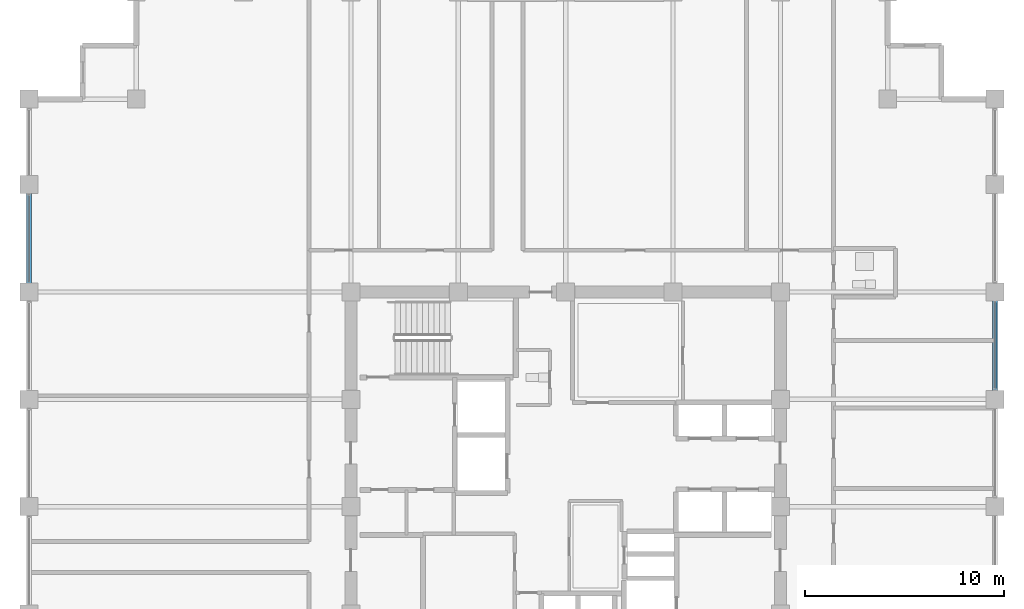
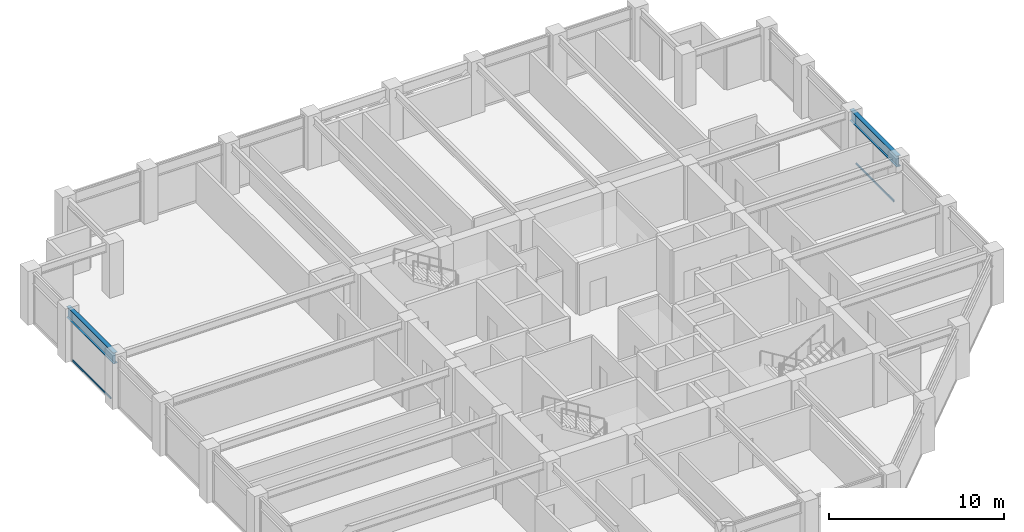
# One storey, part 15 of 32: 2 beams, 2 members, 2 elements without a shape of their own.
"""IFC4 building model written with IfcOpenShell, lengths in metres."""

from ifc_helpers import new_model, si_unit, direction, frame, origin, origin_2d, place, context, subcontext, project, spatial, hollow_rectangle, i_section, extrude, material, layer, layer_set, material_profile, profile_set, type_object, element, aggregate, save


model = new_model("IFC4")

# Units and contexts
model_context = context("Model", 3, precision=1e-05, world=origin(), true_north=direction((0.0, 1.0)))
body_context = subcontext(model_context, "Body", "Model", "MODEL_VIEW")
ifc_project = project(units=[si_unit("LENGTHUNIT", "METRE"), si_unit("AREAUNIT", "SQUARE_METRE"), si_unit("VOLUMEUNIT", "CUBIC_METRE"), si_unit("PLANEANGLEUNIT", "RADIAN"), si_unit("MASSUNIT", "GRAM", prefix="KILO")], contexts=[model_context])

# Site, building, storey
site_placement = place(None, origin())
site = spatial("IfcSite", under=ifc_project, at=site_placement, CompositionType="ELEMENT")
building_placement = place(site_placement, origin())
building = spatial("IfcBuilding", under=site, at=building_placement, Name="Surkhivell Harbour Commons", CompositionType="ELEMENT")
storey_placement = place(building_placement, frame((0.0, 0.0, 204.75)))
storey = spatial("IfcBuildingStorey", under=building, at=storey_placement, Name="L53", CompositionType="ELEMENT", Elevation=204.75)

# Beams
ifc_material_1 = material(Name="Steel S355", Category="steel")
ifc_material_profile_1 = material_profile(ifc_material_1, i_section(OverallWidth=0.26806640625, OverallDepth=0.77001953125, WebThickness=0.015625, FlangeThickness=0.025390625, at=origin_2d()), Name="UB762x267x197")
ifc_profile_set_1 = profile_set([ifc_material_profile_1], Name="Steel S355")
beam_type = type_object("IfcBeamType", Name="BM-SPN-762", PredefinedType="SPANDREL", material=ifc_profile_set_1)
beam_1_placement = place(storey_placement, frame((-27.0, 10.800048828125, 3.18505859375), z_axis=(0.0, 1.0, 0.0), x_axis=(-1.0, 0.0, 0.0)))
element("IfcBeam", 1, at=beam_1_placement, inside=storey, type_object=beam_type, Name="L53 Tube Spandrel (-27.0,10.8)", PredefinedType="SPANDREL", context=body_context, shape_type="SweptSolid", body=[
    extrude(i_section(OverallWidth=0.26806640625, OverallDepth=0.77001953125, WebThickness=0.015625, FlangeThickness=0.025390625, at=origin_2d()), origin(), (0.0, 0.0, 1.0), 5.39990234375),
])
beam_2_placement = place(storey_placement, frame((21.60009765625, 5.39990234375, 3.18505859375), z_axis=(0.0, 1.0, 0.0), x_axis=(-1.0, 0.0, 0.0)))
element("IfcBeam", 2, at=beam_2_placement, inside=storey, type_object=beam_type, Name="L53 Tube Spandrel (21.6,5.4)", PredefinedType="SPANDREL", context=body_context, shape_type="SweptSolid", body=[
    extrude(i_section(OverallWidth=0.26806640625, OverallDepth=0.77001953125, WebThickness=0.015625, FlangeThickness=0.025390625, at=origin_2d()), origin(), (0.0, 0.0, 1.0), 5.400146484375),
])

# Curtain wall, member
ifc_material_2 = material(Name="Anodised pale-metal aluminium and insulated glazing", Category="aluminium")
ifc_layer = layer(ifc_material_2, 0.18994140625)
ifc_layer_set = layer_set([ifc_layer], Name="Anodised pale-metal aluminium and insulated glazing")
curtain_wall_type = type_object("IfcCurtainWallType", Name="CW-SYS-Z3", PredefinedType="NOTDEFINED", material=ifc_layer_set)
curtain_wall_1_placement = place(storey_placement, origin())
curtain_wall_1 = element("IfcCurtainWall", 3, at=curtain_wall_1_placement, inside=storey, type_object=curtain_wall_type, Name="L53 Curtain Wall CW-L53-E02", PredefinedType="NOTDEFINED")
ifc_material_3 = material(Name="Champagne anodised aluminium alloy 6063-T6", Category="aluminium")
ifc_material_profile_2 = material_profile(ifc_material_3, hollow_rectangle(XDim=0.070068359375, YDim=0.1298828125, WallThickness=0.00341796875, at=origin_2d()), Name="ALU-TRAN-70x130")
ifc_profile_set_2 = profile_set([ifc_material_profile_2], Name="Champagne anodised aluminium alloy 6063-T6")
member_type = type_object("IfcMemberType", Name="CWT-130", PredefinedType="USERDEFINED", material=ifc_profile_set_2)
member_1_placement = place(storey_placement, frame((21.60009765625, 5.927001953125, 0.06494140625), z_axis=(0.0, 1.0, 0.0), x_axis=(-1.0, 0.0, 0.0)))
member_1 = element("IfcMember", 4, at=member_1_placement, type_object=member_type, Name="CW-Z3 transom 3.1", ObjectType="TRANSOM", PredefinedType="USERDEFINED", context=body_context, shape_type="SweptSolid", body=[
    extrude(hollow_rectangle(XDim=0.070068359375, YDim=0.1298828125, WallThickness=0.00341796875, at=origin_2d()), origin(), (0.0, 0.0, 1.0), 4.345947265625),
])
aggregate(curtain_wall_1, [member_1])

curtain_wall_2_placement = place(storey_placement, origin())
curtain_wall_2 = element("IfcCurtainWall", 5, at=curtain_wall_2_placement, inside=storey, type_object=curtain_wall_type, Name="L53 Curtain Wall CW-L53-E12S1", PredefinedType="NOTDEFINED")
member_2_placement = place(storey_placement, frame((-27.0, 15.673095703125, 0.06494140625), z_axis=(0.0, -1.0, 0.0), x_axis=(1.0, 0.0, 0.0)))
member_2 = element("IfcMember", 6, at=member_2_placement, type_object=member_type, Name="CW-Z3 transom 2.1", ObjectType="TRANSOM", PredefinedType="USERDEFINED", context=body_context, shape_type="SweptSolid", body=[
    extrude(hollow_rectangle(XDim=0.070068359375, YDim=0.1298828125, WallThickness=0.00341796875, at=origin_2d()), origin(), (0.0, 0.0, 1.0), 4.34619140625),
])
aggregate(curtain_wall_2, [member_2])

save(model, "model.ifc")
